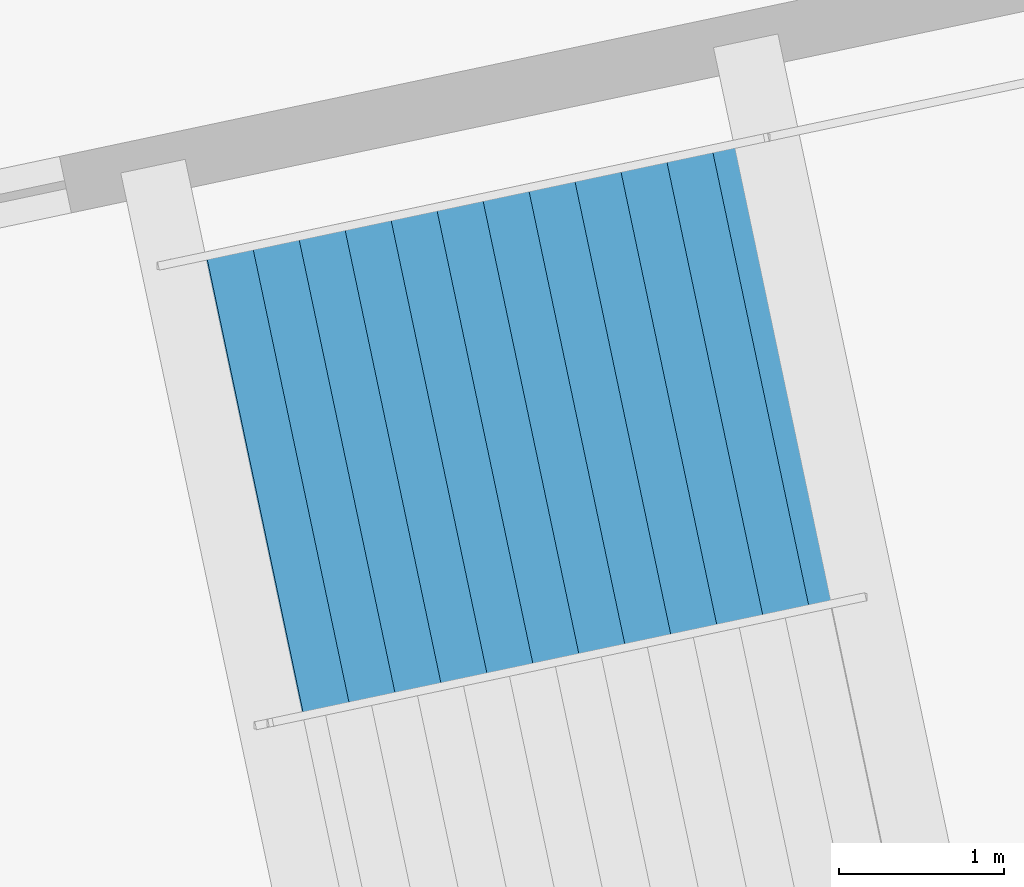
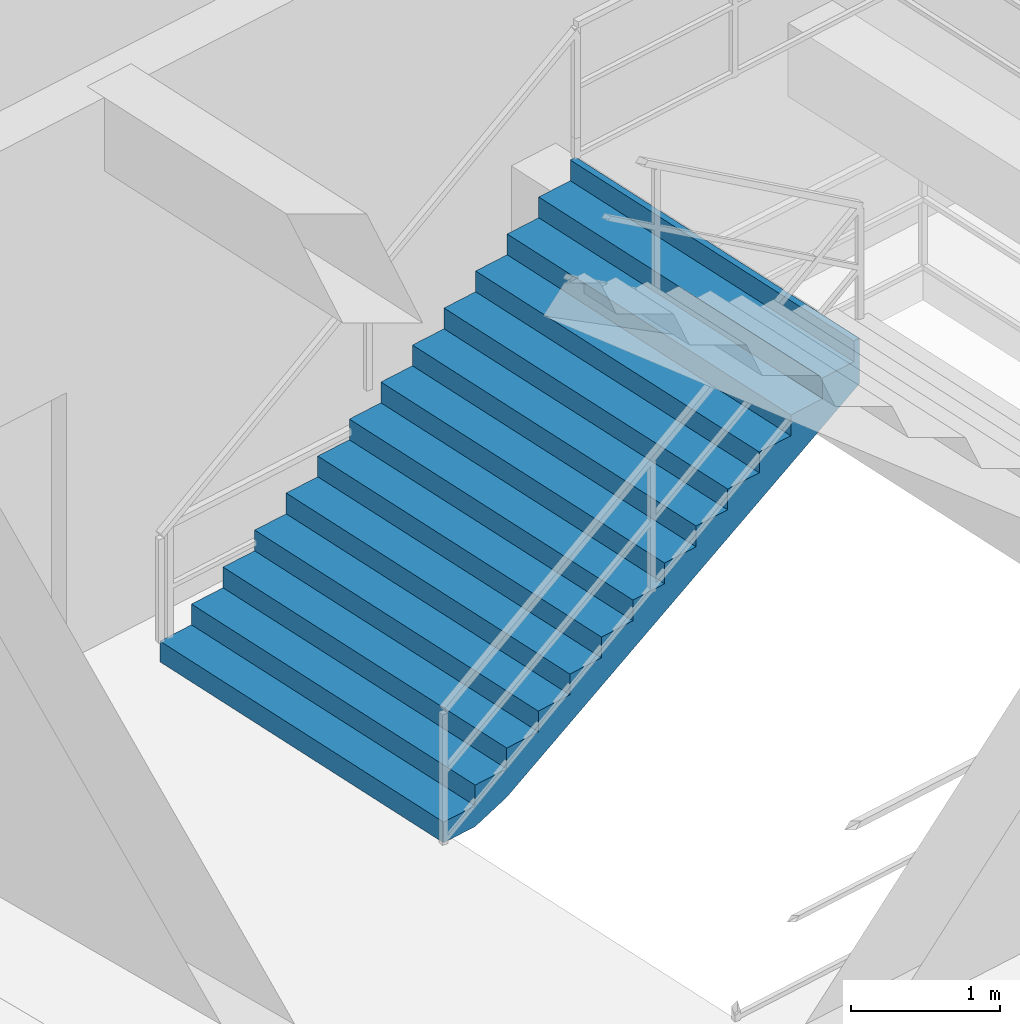
# One storey, part 147 of 171: 1 stair flight, 1 element without a shape of its own.
"""IFC4 building model written with IfcOpenShell, lengths in metres."""

import ifcopenshell
import ifcopenshell.guid

model = None  # the IFC model being written
_history = None  # IfcOwnerHistory: only IFC2X3 demands one
_inside = {}  # id of a spatial element -> (the spatial element, [elements in it])
_under = {}  # id of a project, library or spatial element -> (it, [spatial elements below it])
_declared = {}  # id of a project -> (the project, [libraries it declares])
_typed = {}  # id of a type object -> (the type object, [elements of that type])
_made_of = {}  # id of a material, layer set ... -> (it, [elements and type objects made of it])


def new_model(schema):
    """Start an empty IFC model of exactly this schema.

    Asked for "IFC4X3", IfcOpenShell would pick the latest addendum, in which some entities
    have other attributes; the version numbers below select the first issue.
    IFC2X3 requires an IfcOwnerHistory on every rooted entity: one is made here for all.
    """
    global model, _history
    if schema == "IFC4X3":
        model = ifcopenshell.file(schema_version=(4, 3, 0, 0))
    else:
        model = ifcopenshell.file(schema=schema)
    _inside.clear()
    _under.clear()
    _declared.clear()
    _typed.clear()
    _made_of.clear()
    _history = None
    if model.schema == "IFC2X3":
        org = make("IfcOrganization", Name="unknown")
        user = make(
            "IfcPersonAndOrganization",
            ThePerson=make("IfcPerson", FamilyName="unknown"),
            TheOrganization=org,
        )
        app = make(
            "IfcApplication",
            ApplicationDeveloper=org,
            Version="unknown",
            ApplicationFullName="unknown",
            ApplicationIdentifier="unknown",
        )
        _history = make(
            "IfcOwnerHistory",
            OwningUser=user,
            OwningApplication=app,
            ChangeAction="ADDED",
            CreationDate=0,
        )
    return model


def make(cls, **values):
    """One entity of the class cls with the attributes given. An attribute that is None is left unset."""
    return model.create_entity(
        cls, **{name: value for name, value in values.items() if value is not None}
    )


def rooted(cls, **values):
    """An entity with a GlobalId (a new one), such as an element, a storey or a relation."""
    return make(cls, GlobalId=ifcopenshell.guid.new(), OwnerHistory=_history, **values)


def si_unit(unit_type, name, prefix=None):
    """IfcSIUnit, for example si_unit("LENGTHUNIT", "METRE", prefix="MILLI")."""
    return make("IfcSIUnit", UnitType=unit_type, Prefix=prefix, Name=name)


def assignment(units):
    """IfcUnitAssignment: the units of a project."""
    return None if units is None else make("IfcUnitAssignment", Units=units)


def point(xyz):
    """IfcCartesianPoint."""
    return None if xyz is None else make("IfcCartesianPoint", Coordinates=xyz)


def direction(xyz):
    """IfcDirection."""
    return None if xyz is None else make("IfcDirection", DirectionRatios=xyz)


def frame(location, z_axis=None, x_axis=None):
    """IfcAxis2Placement3D, a coordinate frame: its origin and axes. An axis left out is left unset."""
    return make(
        "IfcAxis2Placement3D",
        Location=point(location),
        Axis=direction(z_axis),
        RefDirection=direction(x_axis),
    )


def origin():
    """The frame at (0, 0, 0) with its axes left unset."""
    return frame((0.0, 0.0, 0.0))


def place(relative_to, where):
    """IfcLocalPlacement: puts the frame where relative to a parent placement (None: the world)."""
    return make(
        "IfcLocalPlacement", PlacementRelTo=relative_to, RelativePlacement=where
    )


def context(
    kind, dimensions, precision=None, world=None, true_north=None, identifier=None
):
    """IfcGeometricRepresentationContext, for example the 3D "Model" context."""
    return make(
        "IfcGeometricRepresentationContext",
        ContextIdentifier=identifier,
        ContextType=kind,
        CoordinateSpaceDimension=dimensions,
        Precision=precision,
        WorldCoordinateSystem=world,
        TrueNorth=true_north,
    )


def subcontext(parent, identifier, kind, view, scale=None):
    """IfcGeometricRepresentationSubContext, for example "Body" below "Model"."""
    return make(
        "IfcGeometricRepresentationSubContext",
        ContextIdentifier=identifier,
        ContextType=kind,
        ParentContext=parent,
        TargetScale=scale,
        TargetView=view,
    )


def project(units=None, contexts=None):
    """IfcProject with its units and contexts."""
    return rooted(
        "IfcProject",
        Name="project",
        RepresentationContexts=contexts,
        UnitsInContext=assignment(units),
    )


def spatial(cls, under=None, at=None, **own):
    """A site, building, storey or space (cls), placed at a placement, below another one or the project."""
    s = rooted(cls, ObjectPlacement=at, **own)
    if under is not None:
        _under.setdefault(under.id(), (under, []))[1].append(s)
    return s


def point_list(points):
    """IfcCartesianPointList2D or 3D."""
    cls = (
        "IfcCartesianPointList2D" if len(points[0]) == 2 else "IfcCartesianPointList3D"
    )
    return make(cls, CoordList=points)


def polygons(points, faces, closed=None, point_numbers=None):
    """IfcPolygonalFaceSet: a face is its outer loop, then its inner loops; points numbered from 1."""
    made = []
    for loops in faces:
        if len(loops) == 1:
            made.append(make("IfcIndexedPolygonalFace", CoordIndex=loops[0]))
        else:
            made.append(
                make(
                    "IfcIndexedPolygonalFaceWithVoids",
                    CoordIndex=loops[0],
                    InnerCoordIndices=loops[1:],
                )
            )
    return make(
        "IfcPolygonalFaceSet",
        Coordinates=point_list(points),
        Closed=closed,
        Faces=made,
        PnIndex=point_numbers,
    )


def shape(context_of_items, identifier, shape_type, items):
    """IfcShapeRepresentation: the items that make up one representation, for example the "Body"."""
    return make(
        "IfcShapeRepresentation",
        ContextOfItems=context_of_items,
        RepresentationIdentifier=identifier,
        RepresentationType=shape_type,
        Items=items,
    )


def material(Name=None, Category=None):
    """IfcMaterial."""
    return make("IfcMaterial", Name=Name, Category=Category)


def made_of(thing, what):
    """Note that an element or type object is made of a material, layer set ...; save() writes the relation."""
    if what is not None:
        _made_of.setdefault(what.id(), (what, []))[1].append(thing)
    return thing


def type_object(cls, material=None, **own):
    """A type object (cls), such as IfcWallType, which elements share."""
    return made_of(rooted(cls, **own), material)


def element(
    cls,
    number,
    at=None,
    inside=None,
    cuts=None,
    type_object=None,
    material=None,
    context=None,
    identifier="Body",
    shape_type=None,
    held_by="IfcProductDefinitionShape",
    body=None,
    shapes=None,
    **own,
):
    """One element of the class cls, such as IfcWall. Its Tag is "e" and its number.

    at: its placement. inside: the storey or other place that contains it. cuts: it is an
    opening in that element (IfcRelVoidsElement). A single representation is given by context,
    identifier, shape_type and body (its items); several are given by shapes. held_by: the class
    of the entity that holds the representations. save() writes the other relations.
    """
    e = rooted(cls, Tag="e%d" % number, ObjectPlacement=at, **own)
    if body is not None:
        shapes = [shape(context, identifier, shape_type, body)]
    if shapes is not None:
        e.Representation = make(held_by, Representations=shapes)
    if inside is not None:
        _inside.setdefault(inside.id(), (inside, []))[1].append(e)
    if cuts is not None:
        rooted(
            "IfcRelVoidsElement", RelatingBuildingElement=cuts, RelatedOpeningElement=e
        )
    if type_object is not None:
        _typed.setdefault(type_object.id(), (type_object, []))[1].append(e)
    return made_of(e, material)


def aggregate(whole, parts):
    """IfcRelAggregates: a whole, such as a stair, and the parts it consists of."""
    return rooted("IfcRelAggregates", RelatingObject=whole, RelatedObjects=parts)


def save(model, path):
    """Write the relations noted so far, then the file.

    IfcRelAggregates (storeys below a building ...), IfcRelContainedInSpatialStructure (elements
    in a storey), IfcRelDefinesByType, IfcRelAssociatesMaterial and IfcRelDeclares: one each for
    every whole, place, type object, material and project.
    """
    for whole, parts in _under.values():
        aggregate(whole, parts)
    for where, things in _inside.values():
        rooted(
            "IfcRelContainedInSpatialStructure",
            RelatedElements=things,
            RelatingStructure=where,
        )
    for kind, things in _typed.values():
        rooted("IfcRelDefinesByType", RelatedObjects=things, RelatingType=kind)
    for what, things in _made_of.values():
        rooted("IfcRelAssociatesMaterial", RelatedObjects=things, RelatingMaterial=what)
    for by, libraries in _declared.values():
        rooted("IfcRelDeclares", RelatingContext=by, RelatedDefinitions=libraries)
    model.write(path)


model = new_model("IFC4")

# Units and contexts
model_context = context("Model", 3, precision=1e-05, world=origin(), true_north=direction((0.0, 1.0)))
body_context = subcontext(model_context, "Body", "Model", "MODEL_VIEW")
ifc_project = project(units=[si_unit("LENGTHUNIT", "METRE"), si_unit("AREAUNIT", "SQUARE_METRE"), si_unit("VOLUMEUNIT", "CUBIC_METRE"), si_unit("PLANEANGLEUNIT", "RADIAN"), si_unit("MASSUNIT", "GRAM", prefix="KILO")], contexts=[model_context])

# Site, building, storey
site_placement = place(None, origin())
site = spatial("IfcSite", under=ifc_project, at=site_placement, CompositionType="ELEMENT")
building_placement = place(site_placement, origin())
building = spatial("IfcBuilding", under=site, at=building_placement, Name="Kazemori Nagisa Stadium", CompositionType="ELEMENT")
storey_placement = place(building_placement, frame((0.0, 0.0, 15.639892578125)))
storey = spatial("IfcBuildingStorey", under=building, at=storey_placement, Name="L03", CompositionType="ELEMENT", Elevation=15.639892578125)

# Stair, stair flight
ifc_material = material(Name="Concrete C36/45 (Fc36)", Category="concrete")
stair_type = type_object("IfcStairType", Name="Stair_CORE_28", PredefinedType="TWO_STRAIGHT_RUN_STAIR", material=ifc_material)
stair_placement = place(storey_placement, origin())
stair = element("IfcStair", 1, at=stair_placement, inside=storey, type_object=stair_type, Name="Exit stair ST06 L03", PredefinedType="TWO_STRAIGHT_RUN_STAIR")
stair_flight_type = type_object("IfcStairFlightType", Name="Flight_CORE_14", PredefinedType="STRAIGHT", material=ifc_material)
stair_flight_placement = place(storey_placement, frame((145.99365234375, 24.9423828125, 0.0), z_axis=(0.0, 0.0, 1.0), x_axis=(0.978345854204, 0.206976785078, 0.0)))
stair_flight = element("IfcStairFlight", 2, at=stair_flight_placement, type_object=stair_flight_type, Name="Exit stair ST06 L03 flight 1", NumberOfRisers=14, NumberOfTreads=13, PredefinedType="STRAIGHT", RiserHeight=0.17, TreadLength=0.285, context=body_context, shape_type="Tessellation", body=[
    polygons([(0.0, -1.425048828125, 0.0), (0.0, -1.425048828125, 0.169921875), (0.284912109375, -1.425048828125, 0.169921875), (0.284912109375, -1.425048828125, 0.340087890625), (0.570068359375, -1.425048828125, 0.340087890625), (0.570068359375, -1.425048828125, 0.510009765625), (0.85498046875, -1.425048828125, 0.510009765625), (0.85498046875, -1.425048828125, 0.679931640625), (1.139892578125, -1.425048828125, 0.679931640625), (1.139892578125, -1.425048828125, 0.85009765625), (1.425048828125, -1.425048828125, 0.85009765625), (1.425048828125, -1.425048828125, 1.02001953125), (1.7099609375, -1.425048828125, 1.02001953125), (1.7099609375, -1.425048828125, 1.18994140625), (1.9951171875, -1.425048828125, 1.18994140625), (1.9951171875, -1.425048828125, 1.360107421875), (2.280029296875, -1.425048828125, 1.360107421875), (2.280029296875, -1.425048828125, 1.530029296875), (2.56494140625, -1.425048828125, 1.530029296875), (2.56494140625, -1.425048828125, 1.699951171875), (2.85009765625, -1.425048828125, 1.699951171875), (2.85009765625, -1.425048828125, 1.8701171875), (3.135009765625, -1.425048828125, 1.8701171875), (3.135009765625, -1.425048828125, 2.0400390625), (3.419921875, -1.425048828125, 2.0400390625), (3.419921875, -1.425048828125, 2.2099609375), (3.705078125, -1.425048828125, 2.2099609375), (3.705078125, -1.425048828125, 2.3798828125), (3.7548828125, -1.425048828125, 2.3798828125), (3.7548828125, -1.425048828125, 2.007080078125), (3.705078125, -1.425048828125, 1.977294921875), (3.419921875, -1.425048828125, 1.80712890625), (3.135009765625, -1.425048828125, 1.63720703125), (2.85009765625, -1.425048828125, 1.46728515625), (2.56494140625, -1.425048828125, 1.297119140625), (2.280029296875, -1.425048828125, 1.127197265625), (1.9951171875, -1.425048828125, 0.957275390625), (1.7099609375, -1.425048828125, 0.787109375), (1.425048828125, -1.425048828125, 0.6171875), (1.139892578125, -1.425048828125, 0.447265625), (0.85498046875, -1.425048828125, 0.277099609375), (0.570068359375, -1.425048828125, 0.107177734375), (0.284912109375, -1.425048828125, 0.0), (0.0, -0.08544921875, 0.0), (0.0, -0.08544921875, 0.169921875), (0.284912109375, -0.08544921875, 0.169921875), (0.284912109375, -0.08544921875, 0.340087890625), (0.570068359375, -0.08544921875, 0.340087890625), (0.570068359375, -0.08544921875, 0.510009765625), (0.85498046875, -0.08544921875, 0.510009765625), (0.85498046875, -0.08544921875, 0.679931640625), (1.139892578125, -0.08544921875, 0.679931640625), (1.139892578125, -0.08544921875, 0.85009765625), (1.425048828125, -0.08544921875, 0.85009765625), (1.425048828125, -0.08544921875, 1.02001953125), (1.7099609375, -0.08544921875, 1.02001953125), (1.7099609375, -0.08544921875, 1.18994140625), (1.9951171875, -0.08544921875, 1.18994140625), (1.9951171875, -0.08544921875, 1.360107421875), (2.280029296875, -0.08544921875, 1.360107421875), (2.280029296875, -0.08544921875, 1.530029296875), (2.56494140625, -0.08544921875, 1.530029296875), (2.56494140625, -0.08544921875, 1.699951171875), (2.85009765625, -0.08544921875, 1.699951171875), (2.85009765625, -0.08544921875, 1.8701171875), (3.135009765625, -0.08544921875, 1.8701171875), (3.135009765625, -0.08544921875, 2.0400390625), (3.419921875, -0.08544921875, 2.0400390625), (3.419921875, -0.08544921875, 2.2099609375), (3.705078125, -0.08544921875, 2.2099609375), (3.705078125, -0.08544921875, 2.3798828125), (3.7548828125, -0.08544921875, 2.3798828125), (3.7548828125, -0.08544921875, 2.007080078125), (3.705078125, -0.08544921875, 1.977294921875), (3.419921875, -0.08544921875, 1.80712890625), (3.135009765625, -0.08544921875, 1.63720703125), (2.85009765625, -0.08544921875, 1.46728515625), (2.56494140625, -0.08544921875, 1.297119140625), (2.280029296875, -0.08544921875, 1.127197265625), (1.9951171875, -0.08544921875, 0.957275390625), (1.7099609375, -0.08544921875, 0.787109375), (1.425048828125, -0.08544921875, 0.6171875), (1.139892578125, -0.08544921875, 0.447265625), (0.85498046875, -0.08544921875, 0.277099609375), (0.570068359375, -0.08544921875, 0.107177734375), (0.284912109375, -0.08544921875, 0.0), (0.0, 0.0, 0.0), (0.0, 0.0, 0.169921875), (0.284912109375, 0.0, 0.169921875), (0.284912109375, 0.0, 0.340087890625), (0.570068359375, 0.0, 0.340087890625), (0.570068359375, 0.0, 0.510009765625), (0.85498046875, 0.0, 0.510009765625), (0.85498046875, 0.0, 0.679931640625), (1.139892578125, 0.0, 0.679931640625), (1.139892578125, 0.0, 0.85009765625), (1.425048828125, 0.0, 0.85009765625), (1.425048828125, 0.0, 1.02001953125), (1.7099609375, 0.0, 1.02001953125), (1.7099609375, 0.0, 1.18994140625), (1.9951171875, 0.0, 1.18994140625), (1.9951171875, 0.0, 1.360107421875), (2.280029296875, 0.0, 1.360107421875), (2.280029296875, 0.0, 1.530029296875), (2.56494140625, 0.0, 1.530029296875), (2.56494140625, 0.0, 1.699951171875), (2.85009765625, 0.0, 1.699951171875), (2.85009765625, 0.0, 1.8701171875), (3.135009765625, 0.0, 1.8701171875), (3.135009765625, 0.0, 2.0400390625), (3.419921875, 0.0, 2.0400390625), (3.419921875, 0.0, 2.2099609375), (3.705078125, 0.0, 2.2099609375), (3.705078125, 0.0, 2.3798828125), (3.7548828125, 0.0, 2.3798828125), (3.7548828125, 0.0, 2.007080078125), (3.705078125, 0.0, 1.977294921875), (3.419921875, 0.0, 1.80712890625), (3.135009765625, 0.0, 1.63720703125), (2.85009765625, 0.0, 1.46728515625), (2.56494140625, 0.0, 1.297119140625), (2.280029296875, 0.0, 1.127197265625), (1.9951171875, 0.0, 0.957275390625), (1.7099609375, 0.0, 0.787109375), (1.425048828125, 0.0, 0.6171875), (1.139892578125, 0.0, 0.447265625), (0.85498046875, 0.0, 0.277099609375), (0.570068359375, 0.0, 0.107177734375), (0.284912109375, 0.0, 0.0), (0.0, 0.08544921875, 0.0), (0.0, 0.08544921875, 0.169921875), (0.284912109375, 0.08544921875, 0.169921875), (0.284912109375, 0.08544921875, 0.340087890625), (0.570068359375, 0.08544921875, 0.340087890625), (0.570068359375, 0.08544921875, 0.510009765625), (0.85498046875, 0.08544921875, 0.510009765625), (0.85498046875, 0.08544921875, 0.679931640625), (1.139892578125, 0.08544921875, 0.679931640625), (1.139892578125, 0.08544921875, 0.85009765625), (1.425048828125, 0.08544921875, 0.85009765625), (1.425048828125, 0.08544921875, 1.02001953125), (1.7099609375, 0.08544921875, 1.02001953125), (1.7099609375, 0.08544921875, 1.18994140625), (1.9951171875, 0.08544921875, 1.18994140625), (1.9951171875, 0.08544921875, 1.360107421875), (2.280029296875, 0.08544921875, 1.360107421875), (2.280029296875, 0.08544921875, 1.530029296875), (2.56494140625, 0.08544921875, 1.530029296875), (2.56494140625, 0.08544921875, 1.699951171875), (2.85009765625, 0.08544921875, 1.699951171875), (2.85009765625, 0.08544921875, 1.8701171875), (3.135009765625, 0.08544921875, 1.8701171875), (3.135009765625, 0.08544921875, 2.0400390625), (3.419921875, 0.08544921875, 2.0400390625), (3.419921875, 0.08544921875, 2.2099609375), (3.705078125, 0.08544921875, 2.2099609375), (3.705078125, 0.08544921875, 2.3798828125), (3.7548828125, 0.08544921875, 2.3798828125), (3.7548828125, 0.08544921875, 2.007080078125), (3.705078125, 0.08544921875, 1.977294921875), (3.419921875, 0.08544921875, 1.80712890625), (3.135009765625, 0.08544921875, 1.63720703125), (2.85009765625, 0.08544921875, 1.46728515625), (2.56494140625, 0.08544921875, 1.297119140625), (2.280029296875, 0.08544921875, 1.127197265625), (1.9951171875, 0.08544921875, 0.957275390625), (1.7099609375, 0.08544921875, 0.787109375), (1.425048828125, 0.08544921875, 0.6171875), (1.139892578125, 0.08544921875, 0.447265625), (0.85498046875, 0.08544921875, 0.277099609375), (0.570068359375, 0.08544921875, 0.107177734375), (0.284912109375, 0.08544921875, 0.0), (0.0, 1.425048828125, 0.0), (0.0, 1.425048828125, 0.169921875), (0.284912109375, 1.425048828125, 0.169921875), (0.284912109375, 1.425048828125, 0.340087890625), (0.570068359375, 1.425048828125, 0.340087890625), (0.570068359375, 1.425048828125, 0.510009765625), (0.85498046875, 1.425048828125, 0.510009765625), (0.85498046875, 1.425048828125, 0.679931640625), (1.139892578125, 1.425048828125, 0.679931640625), (1.139892578125, 1.425048828125, 0.85009765625), (1.425048828125, 1.425048828125, 0.85009765625), (1.425048828125, 1.425048828125, 1.02001953125), (1.7099609375, 1.425048828125, 1.02001953125), (1.7099609375, 1.425048828125, 1.18994140625), (1.9951171875, 1.425048828125, 1.18994140625), (1.9951171875, 1.425048828125, 1.360107421875), (2.280029296875, 1.425048828125, 1.360107421875), (2.280029296875, 1.425048828125, 1.530029296875), (2.56494140625, 1.425048828125, 1.530029296875), (2.56494140625, 1.425048828125, 1.699951171875), (2.85009765625, 1.425048828125, 1.699951171875), (2.85009765625, 1.425048828125, 1.8701171875), (3.135009765625, 1.425048828125, 1.8701171875), (3.135009765625, 1.425048828125, 2.0400390625), (3.419921875, 1.425048828125, 2.0400390625), (3.419921875, 1.425048828125, 2.2099609375), (3.705078125, 1.425048828125, 2.2099609375), (3.705078125, 1.425048828125, 2.3798828125), (3.7548828125, 1.425048828125, 2.3798828125), (3.7548828125, 1.425048828125, 2.007080078125), (3.705078125, 1.425048828125, 1.977294921875), (3.419921875, 1.425048828125, 1.80712890625), (3.135009765625, 1.425048828125, 1.63720703125), (2.85009765625, 1.425048828125, 1.46728515625), (2.56494140625, 1.425048828125, 1.297119140625), (2.280029296875, 1.425048828125, 1.127197265625), (1.9951171875, 1.425048828125, 0.957275390625), (1.7099609375, 1.425048828125, 0.787109375), (1.425048828125, 1.425048828125, 0.6171875), (1.139892578125, 1.425048828125, 0.447265625), (0.85498046875, 1.425048828125, 0.277099609375), (0.570068359375, 1.425048828125, 0.107177734375), (0.284912109375, 1.425048828125, 0.0)], [[[1, 2, 45]], [[1, 45, 44]], [[2, 3, 46]], [[2, 46, 45]], [[3, 4, 47]], [[3, 47, 46]], [[4, 5, 48]], [[4, 48, 47]], [[5, 6, 49]], [[5, 49, 48]], [[6, 7, 50]], [[6, 50, 49]], [[7, 8, 51]], [[7, 51, 50]], [[8, 9, 52]], [[8, 52, 51]], [[9, 10, 53]], [[9, 53, 52]], [[10, 11, 54]], [[10, 54, 53]], [[11, 12, 55]], [[11, 55, 54]], [[12, 13, 56]], [[12, 56, 55]], [[13, 14, 57]], [[13, 57, 56]], [[14, 15, 58]], [[14, 58, 57]], [[15, 16, 59]], [[15, 59, 58]], [[16, 17, 60]], [[16, 60, 59]], [[17, 18, 61]], [[17, 61, 60]], [[18, 19, 62]], [[18, 62, 61]], [[19, 20, 63]], [[19, 63, 62]], [[20, 21, 64]], [[20, 64, 63]], [[21, 22, 65]], [[21, 65, 64]], [[22, 23, 66]], [[22, 66, 65]], [[23, 24, 67]], [[23, 67, 66]], [[24, 25, 68]], [[24, 68, 67]], [[25, 26, 69]], [[25, 69, 68]], [[26, 27, 70]], [[26, 70, 69]], [[27, 28, 71]], [[27, 71, 70]], [[28, 29, 72]], [[28, 72, 71]], [[29, 30, 73]], [[29, 73, 72]], [[30, 31, 74]], [[30, 74, 73]], [[31, 32, 75]], [[31, 75, 74]], [[32, 33, 76]], [[32, 76, 75]], [[33, 34, 77]], [[33, 77, 76]], [[34, 35, 78]], [[34, 78, 77]], [[35, 36, 79]], [[35, 79, 78]], [[36, 37, 80]], [[36, 80, 79]], [[37, 38, 81]], [[37, 81, 80]], [[38, 39, 82]], [[38, 82, 81]], [[39, 40, 83]], [[39, 83, 82]], [[40, 41, 84]], [[40, 84, 83]], [[41, 42, 85]], [[41, 85, 84]], [[42, 43, 86]], [[42, 86, 85]], [[43, 1, 44]], [[43, 44, 86]], [[44, 45, 88]], [[44, 88, 87]], [[45, 46, 89]], [[45, 89, 88]], [[46, 47, 90]], [[46, 90, 89]], [[47, 48, 91]], [[47, 91, 90]], [[48, 49, 92]], [[48, 92, 91]], [[49, 50, 93]], [[49, 93, 92]], [[50, 51, 94]], [[50, 94, 93]], [[51, 52, 95]], [[51, 95, 94]], [[52, 53, 96]], [[52, 96, 95]], [[53, 54, 97]], [[53, 97, 96]], [[54, 55, 98]], [[54, 98, 97]], [[55, 56, 99]], [[55, 99, 98]], [[56, 57, 100]], [[56, 100, 99]], [[57, 58, 101]], [[57, 101, 100]], [[58, 59, 102]], [[58, 102, 101]], [[59, 60, 103]], [[59, 103, 102]], [[60, 61, 104]], [[60, 104, 103]], [[61, 62, 105]], [[61, 105, 104]], [[62, 63, 106]], [[62, 106, 105]], [[63, 64, 107]], [[63, 107, 106]], [[64, 65, 108]], [[64, 108, 107]], [[65, 66, 109]], [[65, 109, 108]], [[66, 67, 110]], [[66, 110, 109]], [[67, 68, 111]], [[67, 111, 110]], [[68, 69, 112]], [[68, 112, 111]], [[69, 70, 113]], [[69, 113, 112]], [[70, 71, 114]], [[70, 114, 113]], [[71, 72, 115]], [[71, 115, 114]], [[72, 73, 116]], [[72, 116, 115]], [[73, 74, 117]], [[73, 117, 116]], [[74, 75, 118]], [[74, 118, 117]], [[75, 76, 119]], [[75, 119, 118]], [[76, 77, 120]], [[76, 120, 119]], [[77, 78, 121]], [[77, 121, 120]], [[78, 79, 122]], [[78, 122, 121]], [[79, 80, 123]], [[79, 123, 122]], [[80, 81, 124]], [[80, 124, 123]], [[81, 82, 125]], [[81, 125, 124]], [[82, 83, 126]], [[82, 126, 125]], [[83, 84, 127]], [[83, 127, 126]], [[84, 85, 128]], [[84, 128, 127]], [[85, 86, 129]], [[85, 129, 128]], [[86, 44, 87]], [[86, 87, 129]], [[87, 88, 131]], [[87, 131, 130]], [[88, 89, 132]], [[88, 132, 131]], [[89, 90, 133]], [[89, 133, 132]], [[90, 91, 134]], [[90, 134, 133]], [[91, 92, 135]], [[91, 135, 134]], [[92, 93, 136]], [[92, 136, 135]], [[93, 94, 137]], [[93, 137, 136]], [[94, 95, 138]], [[94, 138, 137]], [[95, 96, 139]], [[95, 139, 138]], [[96, 97, 140]], [[96, 140, 139]], [[97, 98, 141]], [[97, 141, 140]], [[98, 99, 142]], [[98, 142, 141]], [[99, 100, 143]], [[99, 143, 142]], [[100, 101, 144]], [[100, 144, 143]], [[101, 102, 145]], [[101, 145, 144]], [[102, 103, 146]], [[102, 146, 145]], [[103, 104, 147]], [[103, 147, 146]], [[104, 105, 148]], [[104, 148, 147]], [[105, 106, 149]], [[105, 149, 148]], [[106, 107, 150]], [[106, 150, 149]], [[107, 108, 151]], [[107, 151, 150]], [[108, 109, 152]], [[108, 152, 151]], [[109, 110, 153]], [[109, 153, 152]], [[110, 111, 154]], [[110, 154, 153]], [[111, 112, 155]], [[111, 155, 154]], [[112, 113, 156]], [[112, 156, 155]], [[113, 114, 157]], [[113, 157, 156]], [[114, 115, 158]], [[114, 158, 157]], [[115, 116, 159]], [[115, 159, 158]], [[116, 117, 160]], [[116, 160, 159]], [[117, 118, 161]], [[117, 161, 160]], [[118, 119, 162]], [[118, 162, 161]], [[119, 120, 163]], [[119, 163, 162]], [[120, 121, 164]], [[120, 164, 163]], [[121, 122, 165]], [[121, 165, 164]], [[122, 123, 166]], [[122, 166, 165]], [[123, 124, 167]], [[123, 167, 166]], [[124, 125, 168]], [[124, 168, 167]], [[125, 126, 169]], [[125, 169, 168]], [[126, 127, 170]], [[126, 170, 169]], [[127, 128, 171]], [[127, 171, 170]], [[128, 129, 172]], [[128, 172, 171]], [[129, 87, 130]], [[129, 130, 172]], [[130, 131, 174]], [[130, 174, 173]], [[131, 132, 175]], [[131, 175, 174]], [[132, 133, 176]], [[132, 176, 175]], [[133, 134, 177]], [[133, 177, 176]], [[134, 135, 178]], [[134, 178, 177]], [[135, 136, 179]], [[135, 179, 178]], [[136, 137, 180]], [[136, 180, 179]], [[137, 138, 181]], [[137, 181, 180]], [[138, 139, 182]], [[138, 182, 181]], [[139, 140, 183]], [[139, 183, 182]], [[140, 141, 184]], [[140, 184, 183]], [[141, 142, 185]], [[141, 185, 184]], [[142, 143, 186]], [[142, 186, 185]], [[143, 144, 187]], [[143, 187, 186]], [[144, 145, 188]], [[144, 188, 187]], [[145, 146, 189]], [[145, 189, 188]], [[146, 147, 190]], [[146, 190, 189]], [[147, 148, 191]], [[147, 191, 190]], [[148, 149, 192]], [[148, 192, 191]], [[149, 150, 193]], [[149, 193, 192]], [[150, 151, 194]], [[150, 194, 193]], [[151, 152, 195]], [[151, 195, 194]], [[152, 153, 196]], [[152, 196, 195]], [[153, 154, 197]], [[153, 197, 196]], [[154, 155, 198]], [[154, 198, 197]], [[155, 156, 199]], [[155, 199, 198]], [[156, 157, 200]], [[156, 200, 199]], [[157, 158, 201]], [[157, 201, 200]], [[158, 159, 202]], [[158, 202, 201]], [[159, 160, 203]], [[159, 203, 202]], [[160, 161, 204]], [[160, 204, 203]], [[161, 162, 205]], [[161, 205, 204]], [[162, 163, 206]], [[162, 206, 205]], [[163, 164, 207]], [[163, 207, 206]], [[164, 165, 208]], [[164, 208, 207]], [[165, 166, 209]], [[165, 209, 208]], [[166, 167, 210]], [[166, 210, 209]], [[167, 168, 211]], [[167, 211, 210]], [[168, 169, 212]], [[168, 212, 211]], [[169, 170, 213]], [[169, 213, 212]], [[170, 171, 214]], [[170, 214, 213]], [[171, 172, 215]], [[171, 215, 214]], [[172, 130, 173]], [[172, 173, 215]], [[3, 2, 1]], [[173, 174, 175]], [[43, 3, 1]], [[173, 175, 215]], [[42, 3, 43]], [[215, 175, 214]], [[5, 3, 42]], [[214, 175, 177]], [[5, 4, 3]], [[175, 176, 177]], [[41, 5, 42]], [[214, 177, 213]], [[7, 5, 41]], [[213, 177, 179]], [[7, 6, 5]], [[177, 178, 179]], [[40, 7, 41]], [[213, 179, 212]], [[9, 7, 40]], [[212, 179, 181]], [[9, 8, 7]], [[179, 180, 181]], [[39, 9, 40]], [[212, 181, 211]], [[11, 9, 39]], [[211, 181, 183]], [[11, 10, 9]], [[181, 182, 183]], [[38, 11, 39]], [[211, 183, 210]], [[13, 11, 38]], [[210, 183, 185]], [[13, 12, 11]], [[183, 184, 185]], [[37, 13, 38]], [[210, 185, 209]], [[15, 13, 37]], [[209, 185, 187]], [[15, 14, 13]], [[185, 186, 187]], [[36, 15, 37]], [[209, 187, 208]], [[17, 15, 36]], [[208, 187, 189]], [[17, 16, 15]], [[187, 188, 189]], [[35, 17, 36]], [[208, 189, 207]], [[19, 17, 35]], [[207, 189, 191]], [[19, 18, 17]], [[189, 190, 191]], [[34, 19, 35]], [[207, 191, 206]], [[21, 19, 34]], [[206, 191, 193]], [[21, 20, 19]], [[191, 192, 193]], [[33, 21, 34]], [[206, 193, 205]], [[23, 21, 33]], [[205, 193, 195]], [[23, 22, 21]], [[193, 194, 195]], [[32, 23, 33]], [[205, 195, 204]], [[25, 23, 32]], [[204, 195, 197]], [[25, 24, 23]], [[195, 196, 197]], [[31, 25, 32]], [[204, 197, 203]], [[27, 25, 31]], [[203, 197, 199]], [[27, 26, 25]], [[197, 198, 199]], [[30, 27, 31]], [[203, 199, 202]], [[29, 27, 30]], [[202, 199, 201]], [[29, 28, 27]], [[199, 200, 201]]], closed=True),
])
aggregate(stair, [stair_flight])

save(model, "model.ifc")
